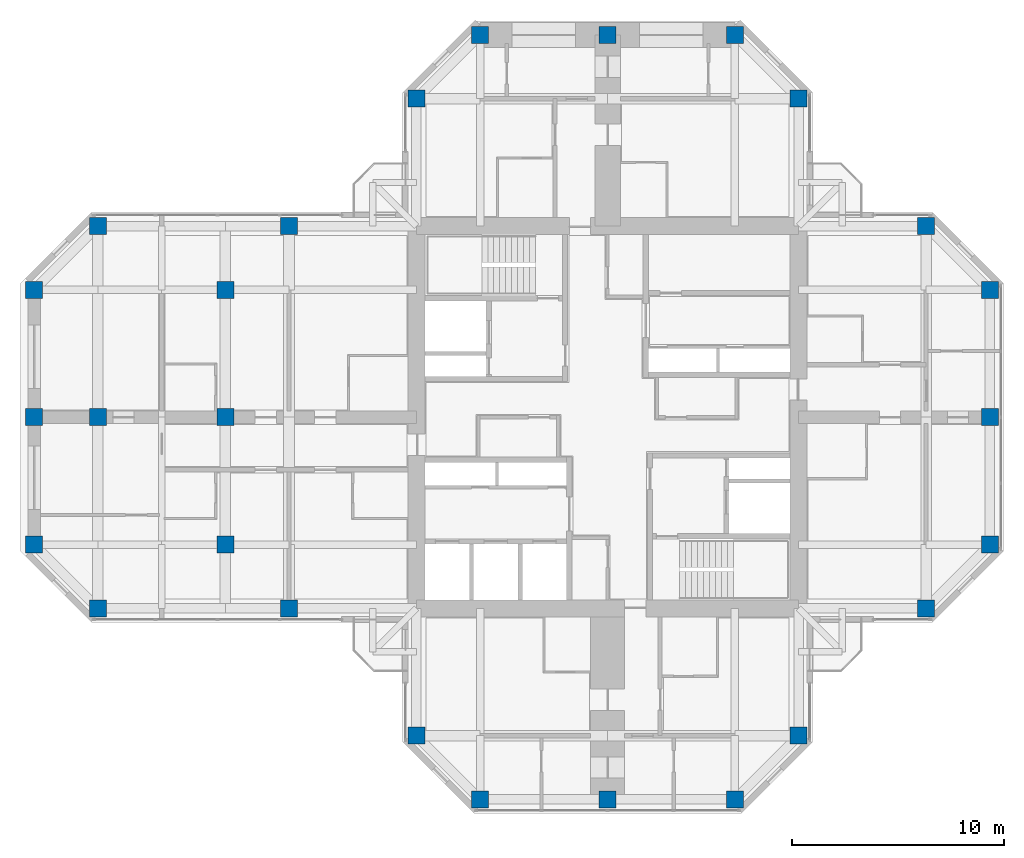
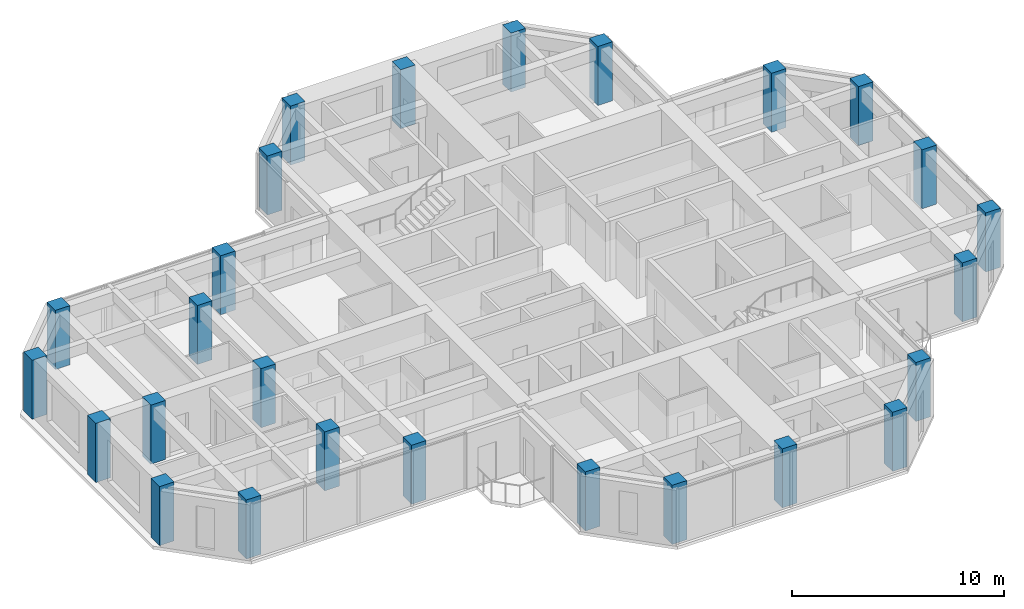
# One storey, part 1 of 14: 26 columns.
"""IFC4 building model written with IfcOpenShell, lengths in metres."""

from ifc_helpers import new_model, si_unit, direction, frame, origin, origin_2d, place, context, subcontext, project, spatial, rectangle, extrude, material, material_profile, profile_set, type_object, element, save


model = new_model("IFC4")

# Units and contexts
model_context = context("Model", 3, precision=1e-05, world=origin(), true_north=direction((0.0, 1.0)))
body_context = subcontext(model_context, "Body", "Model", "MODEL_VIEW")
ifc_project = project(units=[si_unit("LENGTHUNIT", "METRE"), si_unit("AREAUNIT", "SQUARE_METRE"), si_unit("VOLUMEUNIT", "CUBIC_METRE"), si_unit("PLANEANGLEUNIT", "RADIAN"), si_unit("MASSUNIT", "GRAM", prefix="KILO")], contexts=[model_context])

# Site, building, storey
site_placement = place(None, origin())
site = spatial("IfcSite", under=ifc_project, at=site_placement, CompositionType="ELEMENT")
building_placement = place(site_placement, origin())
building = spatial("IfcBuilding", under=site, at=building_placement, Name="Torre Cruceta", CompositionType="ELEMENT")
storey_placement = place(building_placement, frame((0.0, 0.0, 225.5)))
storey = spatial("IfcBuildingStorey", under=building, at=storey_placement, Name="L57", CompositionType="ELEMENT", Elevation=225.5)

# Columns
ifc_material = material(Name="Concrete G60 (fck 60 MPa)", Category="concrete")
ifc_material_profile = material_profile(ifc_material, rectangle(XDim=0.800048828125, YDim=0.800048828125, at=origin_2d()), Name="RC 800X800")
ifc_profile_set = profile_set([ifc_material_profile], Name="Concrete G60 (fck 60 MPa)")
column_type = type_object("IfcColumnType", Name="COLUMN RC 800X800", PredefinedType="COLUMN", material=ifc_profile_set)
for number, where, z_axis, x_axis, name in (
    (1, (9.0, 15.0, 0.0), (0.0, 0.0, 1.0), (1.0, 0.0, 0.0), "C7 L57 N chamfer"),
    (2, (-9.0, 15.0, 0.0), (0.0, 0.0, 1.0), (1.0, 0.0, 0.0), "C7 L57 N chamfer"),
    (3, (6.0, 18.0, 0.0), (0.0, 0.0, 1.0), (1.0, 0.0, 0.0), "C7 L57 N tip"),
    (4, (0.0, 18.0, 0.0), (0.0, 0.0, 1.0), (1.0, 0.0, 0.0), "C7 L57 N tip"),
    (5, (-6.0, 18.0, 0.0), (0.0, 0.0, 1.0), (1.0, 0.0, 0.0), "C7 L57 N tip"),
    (6, (15.0, -9.0, 0.0), (0.0, 0.0, 1.0), (1.0, 0.0, 0.0), "C7 L57 E chamfer"),
    (7, (15.0, 9.0, 0.0), (0.0, 0.0, 1.0), (1.0, 0.0, 0.0), "C7 L57 E chamfer"),
    (8, (18.0, -6.0, 0.0), (0.0, 0.0, 1.0), (1.0, 0.0, 0.0), "C7 L57 E tip"),
    (9, (18.0, 0.0, 0.0), (0.0, 0.0, 1.0), (1.0, 0.0, 0.0), "C7 L57 E tip"),
    (10, (18.0, 6.0, 0.0), (0.0, 0.0, 1.0), (1.0, 0.0, 0.0), "C7 L57 E tip"),
    (11, (-9.0, -15.0, 0.0), (0.0, 0.0, 1.0), (1.0, 0.0, 0.0), "C7 L57 S chamfer"),
    (12, (9.0, -15.0, 0.0), (0.0, 0.0, 1.0), (1.0, 0.0, 0.0), "C7 L57 S chamfer"),
    (13, (-6.0, -18.0, 0.0), (0.0, 0.0, 1.0), (1.0, 0.0, 0.0), "C7 L57 S tip"),
    (14, (0.0, -18.0, 0.0), (0.0, 0.0, 1.0), (1.0, 0.0, 0.0), "C7 L57 S tip"),
    (15, (6.0, -18.0, 0.0), (0.0, 0.0, 1.0), (1.0, 0.0, 0.0), "C7 L57 S tip"),
    (16, (-15.0, 9.0, 0.0), (0.0, 0.0, 1.0), (1.0, 0.0, 0.0), "C7 L57 W side"),
    (17, (-24.0, 9.0, 0.0), (0.0, 0.0, 1.0), (1.0, 0.0, 0.0), "C7 L57 W chamfer"),
    (18, (-15.0, -9.0, 0.0), (0.0, 0.0, 1.0), (1.0, 0.0, 0.0), "C7 L57 W side"),
    (19, (-24.0, -9.0, 0.0), (0.0, 0.0, 1.0), (1.0, 0.0, 0.0), "C7 L57 W chamfer"),
    (20, (-27.0, 6.0, 0.0), (0.0, 0.0, 1.0), (1.0, 0.0, 0.0), "C7 L57 W tip"),
    (21, (-27.0, 0.0, 0.0), (0.0, 0.0, 1.0), (1.0, 0.0, 0.0), "C7 L57 W tip"),
    (22, (-27.0, -6.0, 0.0), (0.0, 0.0, 1.0), (1.0, 0.0, 0.0), "C7 L57 W tip"),
    (23, (-18.0, 6.0, 0.0), (0.0, 0.0, 1.0), (1.0, 0.0, 0.0), "C7 L57 W interior"),
    (24, (-18.0, 0.0, 0.0), (0.0, 0.0, 1.0), (1.0, 0.0, 0.0), "C7 L57 W interior"),
    (25, (-18.0, -6.0, 0.0), (0.0, 0.0, 1.0), (1.0, 0.0, 0.0), "C7 L57 W interior"),
    (26, (-24.0, 0.0, 0.0), (0.0, 0.0, 1.0), (1.0, 0.0, 0.0), "C7 L57 W interior"),
):
    element("IfcColumn", number, at=place(storey_placement, frame(where, z_axis=z_axis, x_axis=x_axis)), inside=storey, type_object=column_type, Name=name, PredefinedType="COLUMN", context=body_context, shape_type="SweptSolid", body=[
        extrude(rectangle(XDim=0.800048828125, YDim=0.800048828125, at=origin_2d()), origin(), (0.0, 0.0, 1.0), 3.39990234375),
    ])

save(model, "model.ifc")
